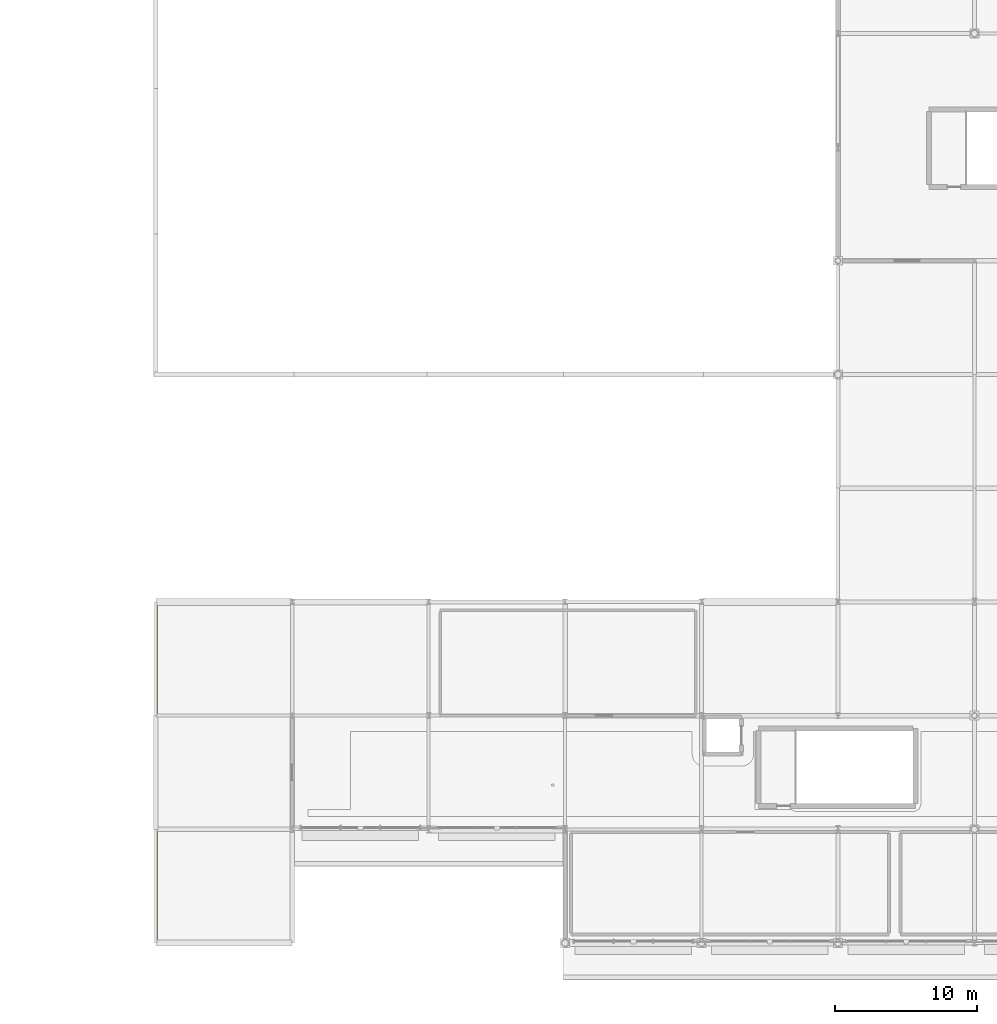
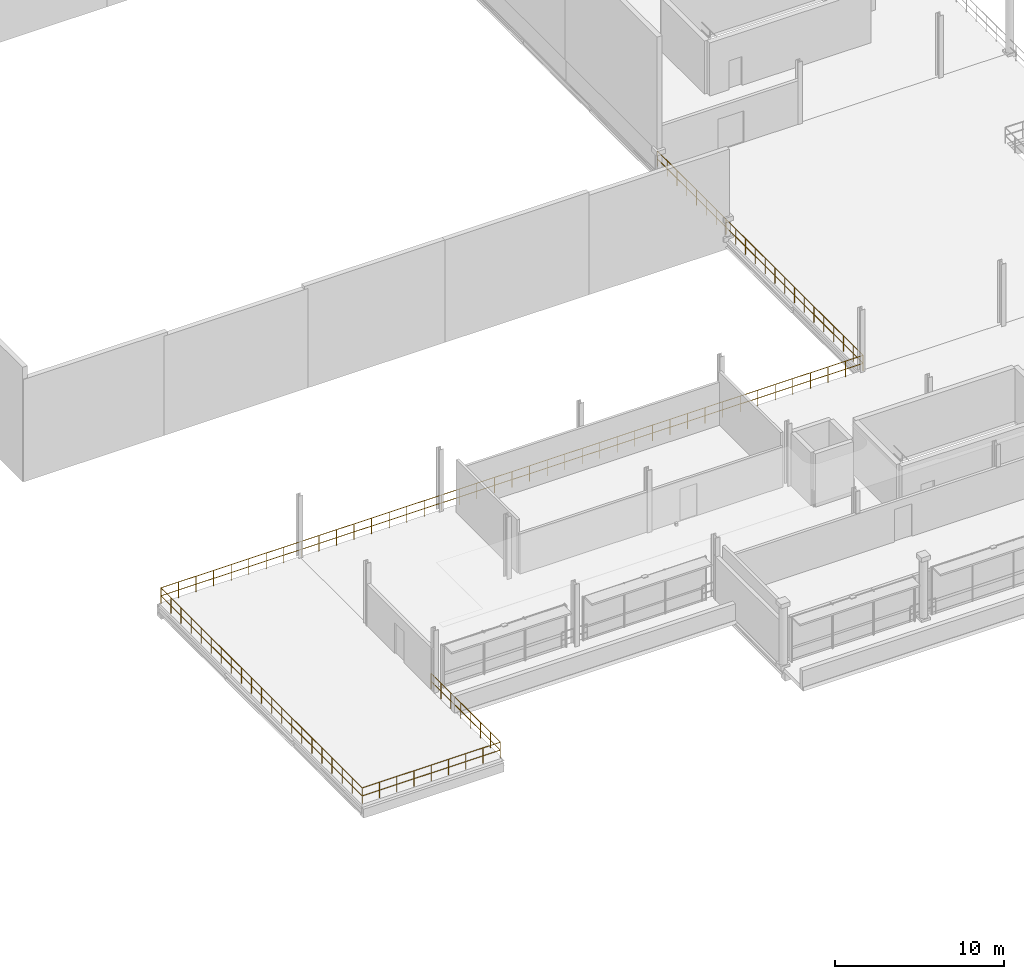
# One storey, part 56 of 59: 1 railing.
"""IFC4 building model written with IfcOpenShell, lengths in metres."""

from ifc_helpers import new_model, si_unit, direction, frame, origin, origin_2d, place, context, subcontext, project, spatial, circle, extrude, material, type_object, element, save


model = new_model("IFC4")

# Units and contexts
model_context = context("Model", 3, precision=1e-05, world=origin(), true_north=direction((0.0, 1.0)))
body_context = subcontext(model_context, "Body", "Model", "MODEL_VIEW")
ifc_project = project(units=[si_unit("LENGTHUNIT", "METRE"), si_unit("AREAUNIT", "SQUARE_METRE"), si_unit("VOLUMEUNIT", "CUBIC_METRE"), si_unit("PLANEANGLEUNIT", "RADIAN"), si_unit("MASSUNIT", "GRAM", prefix="KILO")], contexts=[model_context])

# Site, building, storey
site_placement = place(None, origin())
site = spatial("IfcSite", under=ifc_project, at=site_placement, CompositionType="ELEMENT")
building_placement = place(site_placement, origin())
building = spatial("IfcBuilding", under=site, at=building_placement, Name="Danafjord Basin Convention Centre", CompositionType="ELEMENT")
storey_placement = place(building_placement, frame((0.0, 0.0, 15.89990234375)))
storey = spatial("IfcBuildingStorey", under=building, at=storey_placement, Name="L03", CompositionType="ELEMENT", Elevation=15.89990234375)

# Railing
ifc_material = material(Name="Laminated structural glass and stainless steel", Category="steel")
railing_type = type_object("IfcRailingType", Name="RL-BAL-GLS", PredefinedType="BALUSTRADE", material=ifc_material)
railing_placement = place(storey_placement, frame((153.52001953125, 8.280029296875, 0.0)))
element("IfcRailing", 1, at=railing_placement, inside=storey, type_object=railing_type, Name="L03 safety guard balustrade 223", PredefinedType="BALUSTRADE", context=body_context, shape_type="SweptSolid", body=[
    extrude(circle(Radius=0.02392578125, at=origin_2d()), frame((0.0, 0.0, 1.1259765625), z_axis=(0.0, -1.0, 0.0), x_axis=(1.0, 0.0, 0.0)), (0.0, 0.0, 1.0), 8.199951171875),
    extrude(circle(Radius=0.02392578125, at=origin_2d()), frame((0.0, 0.0, 0.55078125), z_axis=(0.0, -1.0, 0.0), x_axis=(1.0, 0.0, 0.0)), (0.0, 0.0, 1.0), 8.199951171875),
    extrude(circle(Radius=0.02392578125, at=origin_2d()), frame((0.0, -8.199951171875, 1.1259765625), z_axis=(-1.0, 0.0, 0.0), x_axis=(0.0, -1.0, 0.0)), (0.0, 0.0, 1.0), 9.43994140625),
    extrude(circle(Radius=0.02392578125, at=origin_2d()), frame((0.0, -8.199951171875, 0.55078125), z_axis=(-1.0, 0.0, 0.0), x_axis=(0.0, -1.0, 0.0)), (0.0, 0.0, 1.0), 9.43994140625),
    extrude(circle(Radius=0.02392578125, at=origin_2d()), frame((-9.43994140625, -8.199951171875, 1.1259765625), z_axis=(0.0, 1.0, 0.0), x_axis=(-1.0, 0.0, 0.0)), (0.0, 0.0, 1.0), 23.83984375),
    extrude(circle(Radius=0.02392578125, at=origin_2d()), frame((-9.43994140625, -8.199951171875, 0.55078125), z_axis=(0.0, 1.0, 0.0), x_axis=(-1.0, 0.0, 0.0)), (0.0, 0.0, 1.0), 23.83984375),
    extrude(circle(Radius=0.02392578125, at=origin_2d()), frame((-9.43994140625, 15.639892578125, 1.1259765625), z_axis=(1.0, 0.0, 0.0), x_axis=(0.0, 1.0, 0.0)), (0.0, 0.0, 1.0), 48.0),
    extrude(circle(Radius=0.02392578125, at=origin_2d()), frame((-9.43994140625, 15.639892578125, 0.55078125), z_axis=(1.0, 0.0, 0.0), x_axis=(0.0, 1.0, 0.0)), (0.0, 0.0, 1.0), 48.0),
    extrude(circle(Radius=0.02392578125, at=origin_2d()), frame((38.56005859375, 15.639892578125, 1.1259765625), z_axis=(0.0, 1.0, 0.0), x_axis=(-1.0, 0.0, 0.0)), (0.0, 0.0, 1.0), 24.360107421875),
    extrude(circle(Radius=0.02392578125, at=origin_2d()), frame((38.56005859375, 15.639892578125, 0.55078125), z_axis=(0.0, 1.0, 0.0), x_axis=(-1.0, 0.0, 0.0)), (0.0, 0.0, 1.0), 24.360107421875),
    extrude(circle(Radius=0.02099609375, at=origin_2d()), origin(), (0.0, 0.0, 1.0), 1.099853515625),
    extrude(circle(Radius=0.02099609375, at=origin_2d()), frame((0.0, -1.17138671875, 0.0)), (0.0, 0.0, 1.0), 1.099853515625),
    extrude(circle(Radius=0.02099609375, at=origin_2d()), frame((0.0, -2.3427734375, 0.0)), (0.0, 0.0, 1.0), 1.099853515625),
    extrude(circle(Radius=0.02099609375, at=origin_2d()), frame((0.0, -3.51416015625, 0.0)), (0.0, 0.0, 1.0), 1.099853515625),
    extrude(circle(Radius=0.02099609375, at=origin_2d()), frame((0.0, -4.685791015625, 0.0)), (0.0, 0.0, 1.0), 1.099853515625),
    extrude(circle(Radius=0.02099609375, at=origin_2d()), frame((0.0, -5.857177734375, 0.0)), (0.0, 0.0, 1.0), 1.099853515625),
    extrude(circle(Radius=0.02099609375, at=origin_2d()), frame((0.0, -7.028564453125, 0.0)), (0.0, 0.0, 1.0), 1.099853515625),
    extrude(circle(Radius=0.02099609375, at=origin_2d()), frame((0.0, -8.199951171875, 0.0)), (0.0, 0.0, 1.0), 1.099853515625),
    extrude(circle(Radius=0.02099609375, at=origin_2d()), frame((-1.179931640625, -8.199951171875, 0.0)), (0.0, 0.0, 1.0), 1.099853515625),
    extrude(circle(Radius=0.02099609375, at=origin_2d()), frame((-2.35986328125, -8.199951171875, 0.0)), (0.0, 0.0, 1.0), 1.099853515625),
    extrude(circle(Radius=0.02099609375, at=origin_2d()), frame((-3.5400390625, -8.199951171875, 0.0)), (0.0, 0.0, 1.0), 1.099853515625),
    extrude(circle(Radius=0.02099609375, at=origin_2d()), frame((-4.719970703125, -8.199951171875, 0.0)), (0.0, 0.0, 1.0), 1.099853515625),
    extrude(circle(Radius=0.02099609375, at=origin_2d()), frame((-5.89990234375, -8.199951171875, 0.0)), (0.0, 0.0, 1.0), 1.099853515625),
    extrude(circle(Radius=0.02099609375, at=origin_2d()), frame((-7.080078125, -8.199951171875, 0.0)), (0.0, 0.0, 1.0), 1.099853515625),
    extrude(circle(Radius=0.02099609375, at=origin_2d()), frame((-8.260009765625, -8.199951171875, 0.0)), (0.0, 0.0, 1.0), 1.099853515625),
    extrude(circle(Radius=0.02099609375, at=origin_2d()), frame((-9.43994140625, -8.199951171875, 0.0)), (0.0, 0.0, 1.0), 1.099853515625),
    extrude(circle(Radius=0.02099609375, at=origin_2d()), frame((-9.43994140625, -7.008056640625, 0.0)), (0.0, 0.0, 1.0), 1.099853515625),
    extrude(circle(Radius=0.02099609375, at=origin_2d()), frame((-9.43994140625, -5.81591796875, 0.0)), (0.0, 0.0, 1.0), 1.099853515625),
    extrude(circle(Radius=0.02099609375, at=origin_2d()), frame((-9.43994140625, -4.6240234375, 0.0)), (0.0, 0.0, 1.0), 1.099853515625),
    extrude(circle(Radius=0.02099609375, at=origin_2d()), frame((-9.43994140625, -3.431884765625, 0.0)), (0.0, 0.0, 1.0), 1.099853515625),
    extrude(circle(Radius=0.02099609375, at=origin_2d()), frame((-9.43994140625, -2.239990234375, 0.0)), (0.0, 0.0, 1.0), 1.099853515625),
    extrude(circle(Radius=0.02099609375, at=origin_2d()), frame((-9.43994140625, -1.048095703125, 0.0)), (0.0, 0.0, 1.0), 1.099853515625),
    extrude(circle(Radius=0.02099609375, at=origin_2d()), frame((-9.43994140625, 0.14404296875, 0.0)), (0.0, 0.0, 1.0), 1.099853515625),
    extrude(circle(Radius=0.02099609375, at=origin_2d()), frame((-9.43994140625, 1.3359375, 0.0)), (0.0, 0.0, 1.0), 1.099853515625),
    extrude(circle(Radius=0.02099609375, at=origin_2d()), frame((-9.43994140625, 2.528076171875, 0.0)), (0.0, 0.0, 1.0), 1.099853515625),
    extrude(circle(Radius=0.02099609375, at=origin_2d()), frame((-9.43994140625, 3.719970703125, 0.0)), (0.0, 0.0, 1.0), 1.099853515625),
    extrude(circle(Radius=0.02099609375, at=origin_2d()), frame((-9.43994140625, 4.911865234375, 0.0)), (0.0, 0.0, 1.0), 1.099853515625),
    extrude(circle(Radius=0.02099609375, at=origin_2d()), frame((-9.43994140625, 6.10400390625, 0.0)), (0.0, 0.0, 1.0), 1.099853515625),
    extrude(circle(Radius=0.02099609375, at=origin_2d()), frame((-9.43994140625, 7.2958984375, 0.0)), (0.0, 0.0, 1.0), 1.099853515625),
    extrude(circle(Radius=0.02099609375, at=origin_2d()), frame((-9.43994140625, 8.488037109375, 0.0)), (0.0, 0.0, 1.0), 1.099853515625),
    extrude(circle(Radius=0.02099609375, at=origin_2d()), frame((-9.43994140625, 9.679931640625, 0.0)), (0.0, 0.0, 1.0), 1.099853515625),
    extrude(circle(Radius=0.02099609375, at=origin_2d()), frame((-9.43994140625, 10.871826171875, 0.0)), (0.0, 0.0, 1.0), 1.099853515625),
    extrude(circle(Radius=0.02099609375, at=origin_2d()), frame((-9.43994140625, 12.06396484375, 0.0)), (0.0, 0.0, 1.0), 1.099853515625),
    extrude(circle(Radius=0.02099609375, at=origin_2d()), frame((-9.43994140625, 13.255859375, 0.0)), (0.0, 0.0, 1.0), 1.099853515625),
    extrude(circle(Radius=0.02099609375, at=origin_2d()), frame((-9.43994140625, 14.447998046875, 0.0)), (0.0, 0.0, 1.0), 1.099853515625),
    extrude(circle(Radius=0.02099609375, at=origin_2d()), frame((-9.43994140625, 15.639892578125, 0.0)), (0.0, 0.0, 1.0), 1.099853515625),
    extrude(circle(Radius=0.02099609375, at=origin_2d()), frame((-8.239990234375, 15.639892578125, 0.0)), (0.0, 0.0, 1.0), 1.099853515625),
    extrude(circle(Radius=0.02099609375, at=origin_2d()), frame((-7.0400390625, 15.639892578125, 0.0)), (0.0, 0.0, 1.0), 1.099853515625),
    extrude(circle(Radius=0.02099609375, at=origin_2d()), frame((-5.83984375, 15.639892578125, 0.0)), (0.0, 0.0, 1.0), 1.099853515625),
    extrude(circle(Radius=0.02099609375, at=origin_2d()), frame((-4.639892578125, 15.639892578125, 0.0)), (0.0, 0.0, 1.0), 1.099853515625),
    extrude(circle(Radius=0.02099609375, at=origin_2d()), frame((-3.43994140625, 15.639892578125, 0.0)), (0.0, 0.0, 1.0), 1.099853515625),
    extrude(circle(Radius=0.02099609375, at=origin_2d()), frame((-2.239990234375, 15.639892578125, 0.0)), (0.0, 0.0, 1.0), 1.099853515625),
    extrude(circle(Radius=0.02099609375, at=origin_2d()), frame((-1.0400390625, 15.639892578125, 0.0)), (0.0, 0.0, 1.0), 1.099853515625),
    extrude(circle(Radius=0.02099609375, at=origin_2d()), frame((0.16015625, 15.639892578125, 0.0)), (0.0, 0.0, 1.0), 1.099853515625),
    extrude(circle(Radius=0.02099609375, at=origin_2d()), frame((1.360107421875, 15.639892578125, 0.0)), (0.0, 0.0, 1.0), 1.099853515625),
    extrude(circle(Radius=0.02099609375, at=origin_2d()), frame((2.56005859375, 15.639892578125, 0.0)), (0.0, 0.0, 1.0), 1.099853515625),
    extrude(circle(Radius=0.02099609375, at=origin_2d()), frame((3.760009765625, 15.639892578125, 0.0)), (0.0, 0.0, 1.0), 1.099853515625),
    extrude(circle(Radius=0.02099609375, at=origin_2d()), frame((4.9599609375, 15.639892578125, 0.0)), (0.0, 0.0, 1.0), 1.099853515625),
    extrude(circle(Radius=0.02099609375, at=origin_2d()), frame((6.16015625, 15.639892578125, 0.0)), (0.0, 0.0, 1.0), 1.099853515625),
    extrude(circle(Radius=0.02099609375, at=origin_2d()), frame((7.360107421875, 15.639892578125, 0.0)), (0.0, 0.0, 1.0), 1.099853515625),
    extrude(circle(Radius=0.02099609375, at=origin_2d()), frame((8.56005859375, 15.639892578125, 0.0)), (0.0, 0.0, 1.0), 1.099853515625),
    extrude(circle(Radius=0.02099609375, at=origin_2d()), frame((9.760009765625, 15.639892578125, 0.0)), (0.0, 0.0, 1.0), 1.099853515625),
    extrude(circle(Radius=0.02099609375, at=origin_2d()), frame((10.9599609375, 15.639892578125, 0.0)), (0.0, 0.0, 1.0), 1.099853515625),
    extrude(circle(Radius=0.02099609375, at=origin_2d()), frame((12.16015625, 15.639892578125, 0.0)), (0.0, 0.0, 1.0), 1.099853515625),
    extrude(circle(Radius=0.02099609375, at=origin_2d()), frame((13.360107421875, 15.639892578125, 0.0)), (0.0, 0.0, 1.0), 1.099853515625),
    extrude(circle(Radius=0.02099609375, at=origin_2d()), frame((14.56005859375, 15.639892578125, 0.0)), (0.0, 0.0, 1.0), 1.099853515625),
    extrude(circle(Radius=0.02099609375, at=origin_2d()), frame((15.760009765625, 15.639892578125, 0.0)), (0.0, 0.0, 1.0), 1.099853515625),
    extrude(circle(Radius=0.02099609375, at=origin_2d()), frame((16.9599609375, 15.639892578125, 0.0)), (0.0, 0.0, 1.0), 1.099853515625),
    extrude(circle(Radius=0.02099609375, at=origin_2d()), frame((18.16015625, 15.639892578125, 0.0)), (0.0, 0.0, 1.0), 1.099853515625),
    extrude(circle(Radius=0.02099609375, at=origin_2d()), frame((19.360107421875, 15.639892578125, 0.0)), (0.0, 0.0, 1.0), 1.099853515625),
    extrude(circle(Radius=0.02099609375, at=origin_2d()), frame((20.56005859375, 15.639892578125, 0.0)), (0.0, 0.0, 1.0), 1.099853515625),
    extrude(circle(Radius=0.02099609375, at=origin_2d()), frame((21.760009765625, 15.639892578125, 0.0)), (0.0, 0.0, 1.0), 1.099853515625),
    extrude(circle(Radius=0.02099609375, at=origin_2d()), frame((22.9599609375, 15.639892578125, 0.0)), (0.0, 0.0, 1.0), 1.099853515625),
    extrude(circle(Radius=0.02099609375, at=origin_2d()), frame((24.16015625, 15.639892578125, 0.0)), (0.0, 0.0, 1.0), 1.099853515625),
    extrude(circle(Radius=0.02099609375, at=origin_2d()), frame((25.360107421875, 15.639892578125, 0.0)), (0.0, 0.0, 1.0), 1.099853515625),
    extrude(circle(Radius=0.02099609375, at=origin_2d()), frame((26.56005859375, 15.639892578125, 0.0)), (0.0, 0.0, 1.0), 1.099853515625),
    extrude(circle(Radius=0.02099609375, at=origin_2d()), frame((27.760009765625, 15.639892578125, 0.0)), (0.0, 0.0, 1.0), 1.099853515625),
    extrude(circle(Radius=0.02099609375, at=origin_2d()), frame((28.9599609375, 15.639892578125, 0.0)), (0.0, 0.0, 1.0), 1.099853515625),
    extrude(circle(Radius=0.02099609375, at=origin_2d()), frame((30.16015625, 15.639892578125, 0.0)), (0.0, 0.0, 1.0), 1.099853515625),
    extrude(circle(Radius=0.02099609375, at=origin_2d()), frame((31.360107421875, 15.639892578125, 0.0)), (0.0, 0.0, 1.0), 1.099853515625),
    extrude(circle(Radius=0.02099609375, at=origin_2d()), frame((32.56005859375, 15.639892578125, 0.0)), (0.0, 0.0, 1.0), 1.099853515625),
    extrude(circle(Radius=0.02099609375, at=origin_2d()), frame((33.760009765625, 15.639892578125, 0.0)), (0.0, 0.0, 1.0), 1.099853515625),
    extrude(circle(Radius=0.02099609375, at=origin_2d()), frame((34.9599609375, 15.639892578125, 0.0)), (0.0, 0.0, 1.0), 1.099853515625),
    extrude(circle(Radius=0.02099609375, at=origin_2d()), frame((36.16015625, 15.639892578125, 0.0)), (0.0, 0.0, 1.0), 1.099853515625),
    extrude(circle(Radius=0.02099609375, at=origin_2d()), frame((37.360107421875, 15.639892578125, 0.0)), (0.0, 0.0, 1.0), 1.099853515625),
    extrude(circle(Radius=0.02099609375, at=origin_2d()), frame((38.56005859375, 15.639892578125, 0.0)), (0.0, 0.0, 1.0), 1.099853515625),
    extrude(circle(Radius=0.02099609375, at=origin_2d()), frame((38.56005859375, 16.7998046875, 0.0)), (0.0, 0.0, 1.0), 1.099853515625),
    extrude(circle(Radius=0.02099609375, at=origin_2d()), frame((38.56005859375, 17.9599609375, 0.0)), (0.0, 0.0, 1.0), 1.099853515625),
    extrude(circle(Radius=0.02099609375, at=origin_2d()), frame((38.56005859375, 19.119873046875, 0.0)), (0.0, 0.0, 1.0), 1.099853515625),
    extrude(circle(Radius=0.02099609375, at=origin_2d()), frame((38.56005859375, 20.280029296875, 0.0)), (0.0, 0.0, 1.0), 1.099853515625),
    extrude(circle(Radius=0.02099609375, at=origin_2d()), frame((38.56005859375, 21.43994140625, 0.0)), (0.0, 0.0, 1.0), 1.099853515625),
    extrude(circle(Radius=0.02099609375, at=origin_2d()), frame((38.56005859375, 22.599853515625, 0.0)), (0.0, 0.0, 1.0), 1.099853515625),
    extrude(circle(Radius=0.02099609375, at=origin_2d()), frame((38.56005859375, 23.760009765625, 0.0)), (0.0, 0.0, 1.0), 1.099853515625),
    extrude(circle(Radius=0.02099609375, at=origin_2d()), frame((38.56005859375, 24.919921875, 0.0)), (0.0, 0.0, 1.0), 1.099853515625),
    extrude(circle(Radius=0.02099609375, at=origin_2d()), frame((38.56005859375, 26.079833984375, 0.0)), (0.0, 0.0, 1.0), 1.099853515625),
    extrude(circle(Radius=0.02099609375, at=origin_2d()), frame((38.56005859375, 27.239990234375, 0.0)), (0.0, 0.0, 1.0), 1.099853515625),
    extrude(circle(Radius=0.02099609375, at=origin_2d()), frame((38.56005859375, 28.39990234375, 0.0)), (0.0, 0.0, 1.0), 1.099853515625),
    extrude(circle(Radius=0.02099609375, at=origin_2d()), frame((38.56005859375, 29.56005859375, 0.0)), (0.0, 0.0, 1.0), 1.099853515625),
    extrude(circle(Radius=0.02099609375, at=origin_2d()), frame((38.56005859375, 30.719970703125, 0.0)), (0.0, 0.0, 1.0), 1.099853515625),
    extrude(circle(Radius=0.02099609375, at=origin_2d()), frame((38.56005859375, 31.8798828125, 0.0)), (0.0, 0.0, 1.0), 1.099853515625),
    extrude(circle(Radius=0.02099609375, at=origin_2d()), frame((38.56005859375, 33.0400390625, 0.0)), (0.0, 0.0, 1.0), 1.099853515625),
    extrude(circle(Radius=0.02099609375, at=origin_2d()), frame((38.56005859375, 34.199951171875, 0.0)), (0.0, 0.0, 1.0), 1.099853515625),
    extrude(circle(Radius=0.02099609375, at=origin_2d()), frame((38.56005859375, 35.35986328125, 0.0)), (0.0, 0.0, 1.0), 1.099853515625),
    extrude(circle(Radius=0.02099609375, at=origin_2d()), frame((38.56005859375, 36.52001953125, 0.0)), (0.0, 0.0, 1.0), 1.099853515625),
    extrude(circle(Radius=0.02099609375, at=origin_2d()), frame((38.56005859375, 37.679931640625, 0.0)), (0.0, 0.0, 1.0), 1.099853515625),
    extrude(circle(Radius=0.02099609375, at=origin_2d()), frame((38.56005859375, 38.840087890625, 0.0)), (0.0, 0.0, 1.0), 1.099853515625),
    extrude(circle(Radius=0.02099609375, at=origin_2d()), frame((38.56005859375, 40.0, 0.0)), (0.0, 0.0, 1.0), 1.099853515625),
])

save(model, "model.ifc")
